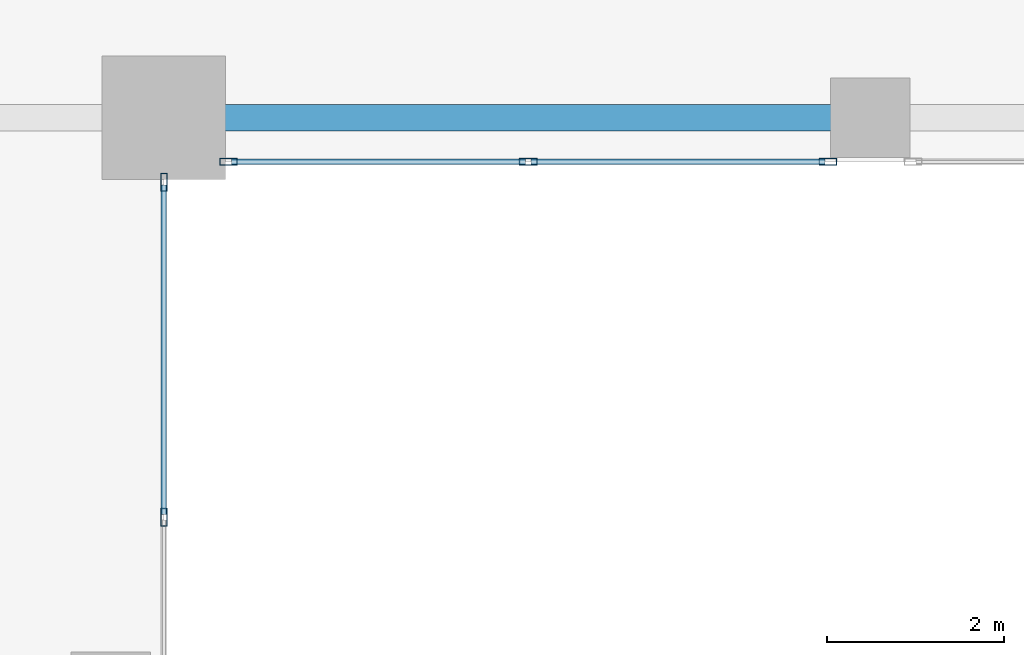
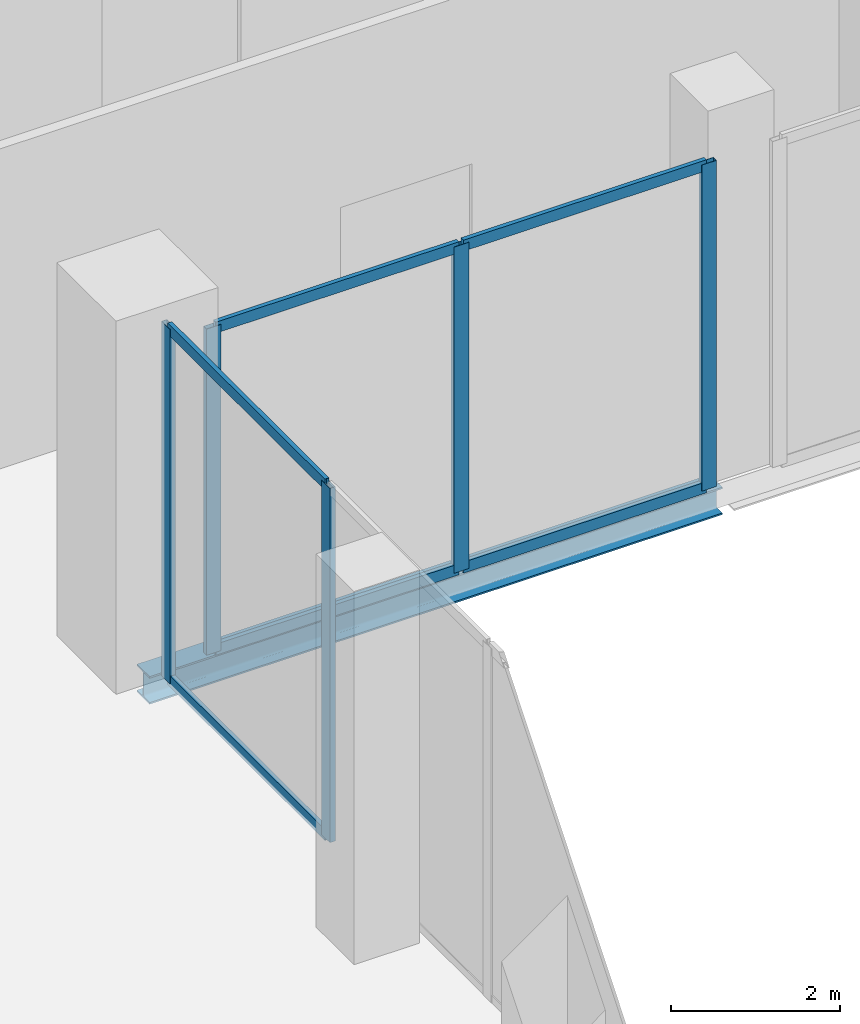
# One storey, part 9 of 24: 11 members, 1 beam, 2 elements without a shape of their own.
"""IFC4 building model written with IfcOpenShell, lengths in metres."""

from ifc_helpers import new_model, si_unit, direction, frame, origin, origin_2d, place, context, subcontext, project, spatial, hollow_rectangle, i_section, extrude, material, layer, layer_set, material_profile, profile_set, type_object, element, aggregate, save


model = new_model("IFC4")

# Units and contexts
model_context = context("Model", 3, precision=1e-05, world=origin(), true_north=direction((0.0, 1.0)))
body_context = subcontext(model_context, "Body", "Model", "MODEL_VIEW")
ifc_project = project(units=[si_unit("LENGTHUNIT", "METRE"), si_unit("AREAUNIT", "SQUARE_METRE"), si_unit("VOLUMEUNIT", "CUBIC_METRE"), si_unit("PLANEANGLEUNIT", "RADIAN"), si_unit("MASSUNIT", "GRAM", prefix="KILO")], contexts=[model_context])

# Site, building, storey
site_placement = place(None, origin())
site = spatial("IfcSite", under=ifc_project, at=site_placement, CompositionType="ELEMENT")
building_placement = place(site_placement, origin())
building = spatial("IfcBuilding", under=site, at=building_placement, Name="Catumbela Crestline Tower", CompositionType="ELEMENT")
storey_placement = place(building_placement, frame((0.0, 0.0, 84.6)))
storey = spatial("IfcBuildingStorey", under=building, at=storey_placement, Name="L21", CompositionType="ELEMENT", Elevation=84.6)

# Curtain wall, members
ifc_material_1 = material(Name="Aluminium alloy AW-6060-T66", Category="aluminium")
ifc_layer = layer(ifc_material_1, 0.18, Name="Aluminium alloy AW-6060-T66")
ifc_layer_set = layer_set([ifc_layer], Name="Aluminium alloy AW-6060-T66")
curtain_wall_type = type_object("IfcCurtainWallType", Name="CWU-SKY", PredefinedType="USERDEFINED", material=ifc_layer_set)
curtain_wall_1_placement = place(storey_placement, origin())
curtain_wall_1 = element("IfcCurtainWall", 1, at=curtain_wall_1_placement, inside=storey, type_object=curtain_wall_type, Name="L21 Unitised Curtain Wall CW-L21-E2S1", ObjectType="UNITISED", PredefinedType="USERDEFINED")
ifc_material_profile_1 = material_profile(ifc_material_1, hollow_rectangle(XDim=0.075, YDim=0.2, WallThickness=0.005, at=origin_2d()), Name="ALU 200x75x5")
ifc_profile_set_1 = profile_set([ifc_material_profile_1], Name="Aluminium alloy AW-6060-T66")
member_type_1 = type_object("IfcMemberType", Name="MUL-200X75", PredefinedType="MULLION", material=ifc_profile_set_1)
member_1_placement = place(storey_placement, frame((24.0, 19.975, 0.0), z_axis=(0.0, 0.0, 1.0), x_axis=(-1.0, 0.0, 0.0)))
member_1 = element("IfcMember", 2, at=member_1_placement, type_object=member_type_1, Name="CWU-SKY mullion 4", PredefinedType="MULLION", context=body_context, shape_type="SweptSolid", body=[
    extrude(hollow_rectangle(XDim=0.075, YDim=0.2, WallThickness=0.005, at=origin_2d()), origin(), (0.0, 0.0, 1.0), 5.13),
])
member_2_placement = place(storey_placement, frame((24.0, 23.7675, 0.0), z_axis=(0.0, 0.0, 1.0), x_axis=(-1.0, 0.0, 0.0)))
member_2 = element("IfcMember", 3, at=member_2_placement, type_object=member_type_1, Name="CWU-SKY mullion 5", PredefinedType="MULLION", context=body_context, shape_type="SweptSolid", body=[
    extrude(hollow_rectangle(XDim=0.075, YDim=0.2, WallThickness=0.005, at=origin_2d()), origin(), (0.0, 0.0, 1.0), 5.13),
])

curtain_wall_2_placement = place(storey_placement, origin())
curtain_wall_2 = element("IfcCurtainWall", 4, at=curtain_wall_2_placement, inside=storey, type_object=curtain_wall_type, Name="L21 Unitised Curtain Wall CW-L21-E3S1", ObjectType="UNITISED", PredefinedType="USERDEFINED")
member_3_placement = place(storey_placement, frame((24.7325, 24.0, 0.0), z_axis=(0.0, 0.0, 1.0), x_axis=(0.0, 1.0, 0.0)))
member_3 = element("IfcMember", 5, at=member_3_placement, type_object=member_type_1, Name="CWU-SKY mullion 1", PredefinedType="MULLION", context=body_context, shape_type="SweptSolid", body=[
    extrude(hollow_rectangle(XDim=0.075, YDim=0.2, WallThickness=0.005, at=origin_2d()), origin(), (0.0, 0.0, 1.0), 4.72),
])
member_4_placement = place(storey_placement, frame((28.125, 24.0, 0.0), z_axis=(0.0, 0.0, 1.0), x_axis=(0.0, 1.0, 0.0)))
member_4 = element("IfcMember", 6, at=member_4_placement, type_object=member_type_1, Name="CWU-SKY mullion 2", PredefinedType="MULLION", context=body_context, shape_type="SweptSolid", body=[
    extrude(hollow_rectangle(XDim=0.075, YDim=0.2, WallThickness=0.005, at=origin_2d()), origin(), (0.0, 0.0, 1.0), 4.72),
])
member_5_placement = place(storey_placement, frame((31.5175, 24.0, 0.0), z_axis=(0.0, 0.0, 1.0), x_axis=(0.0, 1.0, 0.0)))
member_5 = element("IfcMember", 7, at=member_5_placement, type_object=member_type_1, Name="CWU-SKY mullion 3", PredefinedType="MULLION", context=body_context, shape_type="SweptSolid", body=[
    extrude(hollow_rectangle(XDim=0.075, YDim=0.2, WallThickness=0.005, at=origin_2d()), origin(), (0.0, 0.0, 1.0), 4.72),
])

# Beam
ifc_material_2 = material(Name="Structural steel S355J2", Category="steel")
ifc_material_profile_2 = material_profile(ifc_material_2, i_section(OverallWidth=0.3, OverallDepth=0.4, WebThickness=0.0135, FlangeThickness=0.024, FilletRadius=0.027, at=origin_2d()), Name="HEB 400")
ifc_profile_set_2 = profile_set([ifc_material_profile_2], Name="Structural steel S355J2")
beam_type = type_object("IfcBeamType", Name="BS-HEB400", PredefinedType="SPANDREL", material=ifc_profile_set_2)
beam_placement = place(storey_placement, frame((24.08, 24.5, -0.55), z_axis=(1.0, 0.0, 0.0), x_axis=(0.0, 1.0, 0.0)))
element("IfcBeam", 8, at=beam_placement, inside=storey, type_object=beam_type, Name="L21 Spandrel SP-L21-S05", PredefinedType="SPANDREL", context=body_context, shape_type="SweptSolid", body=[
    extrude(i_section(OverallWidth=0.3, OverallDepth=0.4, WebThickness=0.0135, FlangeThickness=0.024, FilletRadius=0.027, at=origin_2d()), origin(), (0.0, 0.0, 1.0), 7.84),
])

# Member
ifc_material_profile_3 = material_profile(ifc_material_1, hollow_rectangle(XDim=0.06, YDim=0.16, WallThickness=0.004, at=origin_2d()), Name="ALU 160x60x4")
ifc_profile_set_3 = profile_set([ifc_material_profile_3], Name="Aluminium alloy AW-6060-T66")
member_type_2 = type_object("IfcMemberType", Name="TRN-160X60", PredefinedType="USERDEFINED", material=ifc_profile_set_3)
member_6_placement = place(storey_placement, frame((24.0, 20.0075, 0.03), z_axis=(0.0, 1.0, 0.0), x_axis=(-1.0, 0.0, 0.0)))
member_6 = element("IfcMember", 9, at=member_6_placement, type_object=member_type_2, Name="CWU-SKY transom 4.1", ObjectType="TRANSOM", PredefinedType="USERDEFINED", context=body_context, shape_type="SweptSolid", body=[
    extrude(hollow_rectangle(XDim=0.06, YDim=0.16, WallThickness=0.004, at=origin_2d()), origin(), (0.0, 0.0, 1.0), 3.7275),
])

member_7_placement = place(storey_placement, frame((24.0, 20.0075, 5.1), z_axis=(0.0, 1.0, 0.0), x_axis=(-1.0, 0.0, 0.0)))
member_7 = element("IfcMember", 10, at=member_7_placement, type_object=member_type_2, Name="CWU-SKY transom 4.2", ObjectType="TRANSOM", PredefinedType="USERDEFINED", context=body_context, shape_type="SweptSolid", body=[
    extrude(hollow_rectangle(XDim=0.06, YDim=0.16, WallThickness=0.004, at=origin_2d()), origin(), (0.0, 0.0, 1.0), 3.7275),
])

aggregate(curtain_wall_1, [member_1, member_2, member_6, member_7])

member_8_placement = place(storey_placement, frame((24.765, 24.0, 0.03), z_axis=(1.0, 0.0, 0.0), x_axis=(0.0, 1.0, 0.0)))
member_8 = element("IfcMember", 11, at=member_8_placement, type_object=member_type_2, Name="CWU-SKY transom 1.1", ObjectType="TRANSOM", PredefinedType="USERDEFINED", context=body_context, shape_type="SweptSolid", body=[
    extrude(hollow_rectangle(XDim=0.06, YDim=0.16, WallThickness=0.004, at=origin_2d()), origin(), (0.0, 0.0, 1.0), 3.3275),
])

member_9_placement = place(storey_placement, frame((24.765, 24.0, 4.69), z_axis=(1.0, 0.0, 0.0), x_axis=(0.0, 1.0, 0.0)))
member_9 = element("IfcMember", 12, at=member_9_placement, type_object=member_type_2, Name="CWU-SKY transom 1.2", ObjectType="TRANSOM", PredefinedType="USERDEFINED", context=body_context, shape_type="SweptSolid", body=[
    extrude(hollow_rectangle(XDim=0.06, YDim=0.16, WallThickness=0.004, at=origin_2d()), origin(), (0.0, 0.0, 1.0), 3.3275),
])

member_10_placement = place(storey_placement, frame((28.1575, 24.0, 0.03), z_axis=(1.0, 0.0, 0.0), x_axis=(0.0, 1.0, 0.0)))
member_10 = element("IfcMember", 13, at=member_10_placement, type_object=member_type_2, Name="CWU-SKY transom 2.1", ObjectType="TRANSOM", PredefinedType="USERDEFINED", context=body_context, shape_type="SweptSolid", body=[
    extrude(hollow_rectangle(XDim=0.06, YDim=0.16, WallThickness=0.004, at=origin_2d()), origin(), (0.0, 0.0, 1.0), 3.3275),
])

member_11_placement = place(storey_placement, frame((28.1575, 24.0, 4.69), z_axis=(1.0, 0.0, 0.0), x_axis=(0.0, 1.0, 0.0)))
member_11 = element("IfcMember", 14, at=member_11_placement, type_object=member_type_2, Name="CWU-SKY transom 2.2", ObjectType="TRANSOM", PredefinedType="USERDEFINED", context=body_context, shape_type="SweptSolid", body=[
    extrude(hollow_rectangle(XDim=0.06, YDim=0.16, WallThickness=0.004, at=origin_2d()), origin(), (0.0, 0.0, 1.0), 3.3275),
])

aggregate(curtain_wall_2, [member_3, member_4, member_5, member_8, member_9, member_10, member_11])

save(model, "model.ifc")
